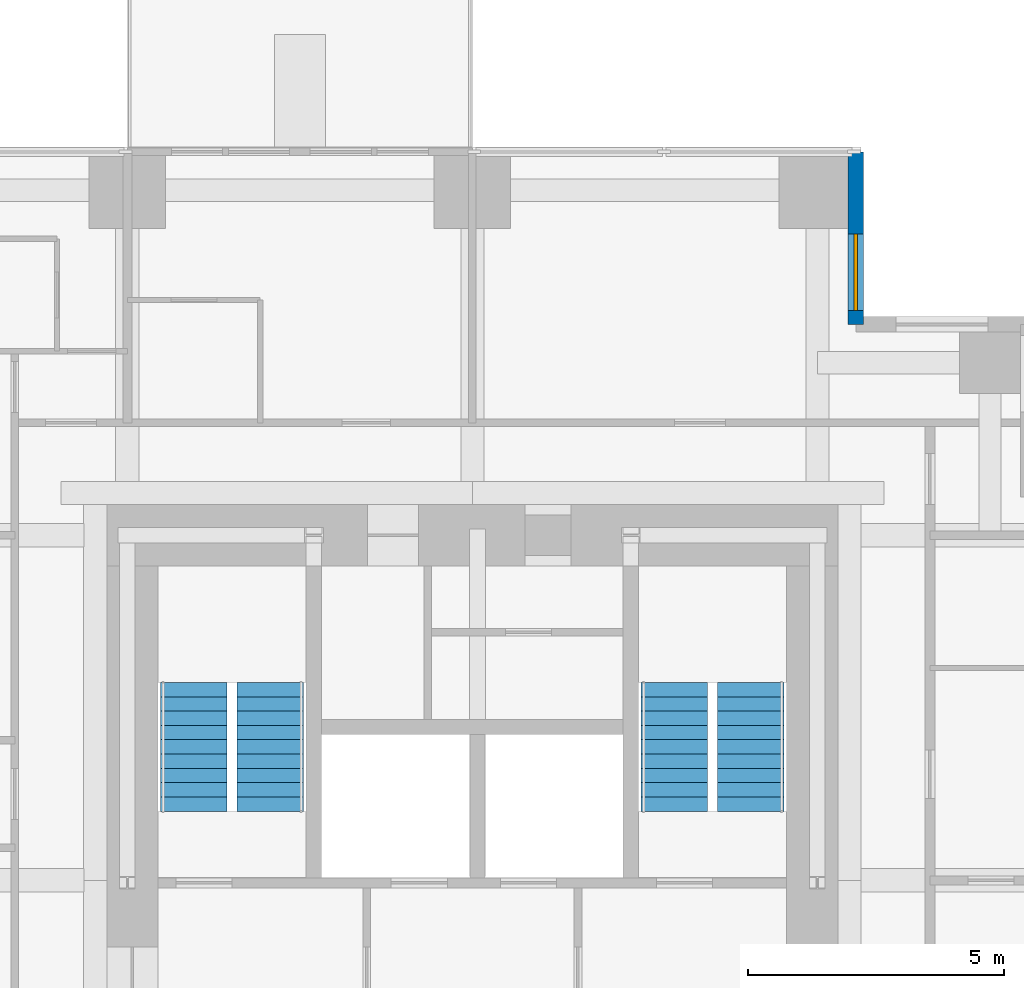
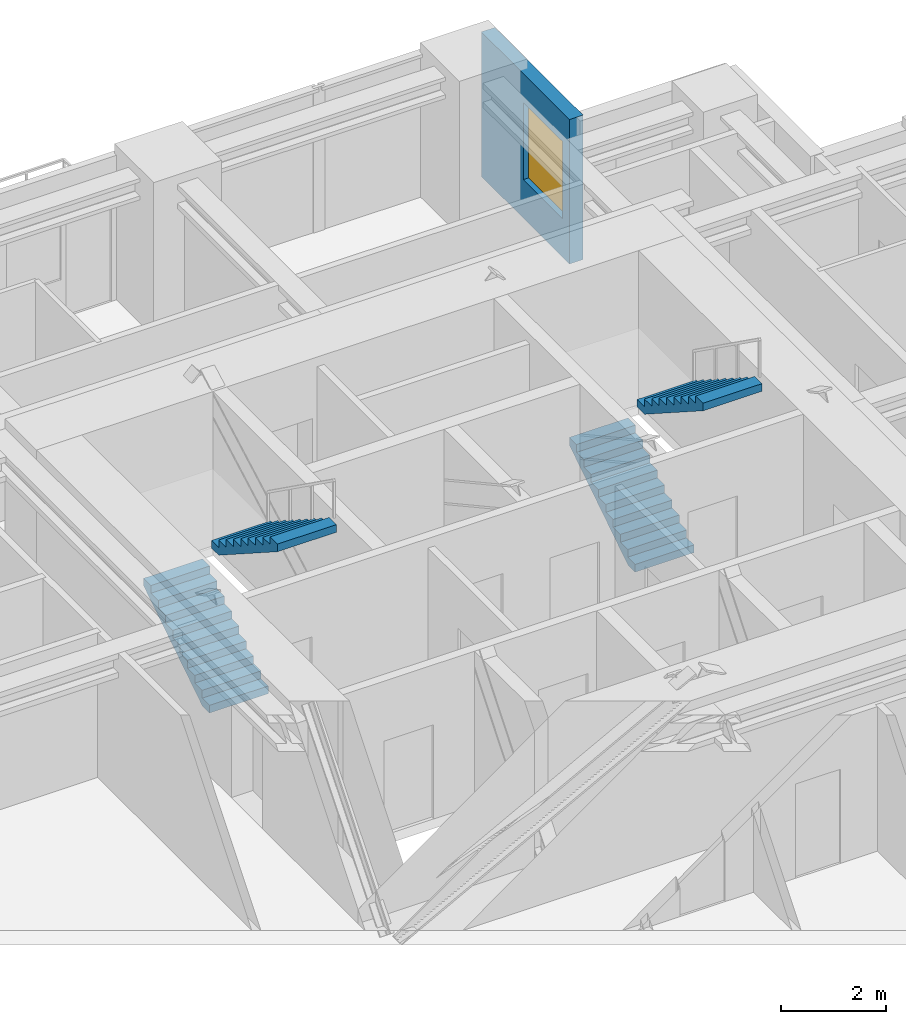
# One storey, part 9 of 10: 4 stair flights, 1 wall, 1 window, 1 opening, 2 elements without a shape of their own.
"""IFC4 building model written with IfcOpenShell, lengths in metres."""

from ifc_helpers import new_model, si_unit, direction, frame, frame_2d, origin, place, context, subcontext, project, spatial, polyline, rectangle, outline, extrude, material, layer, layer_set, type_object, element, fill, aggregate, save


model = new_model("IFC4")

# Units and contexts
model_context = context("Model", 3, precision=1e-05, world=origin(), true_north=direction((0.0, 1.0)))
body_context = subcontext(model_context, "Body", "Model", "MODEL_VIEW")
ifc_project = project(units=[si_unit("LENGTHUNIT", "METRE"), si_unit("AREAUNIT", "SQUARE_METRE"), si_unit("VOLUMEUNIT", "CUBIC_METRE"), si_unit("PLANEANGLEUNIT", "RADIAN"), si_unit("MASSUNIT", "GRAM", prefix="KILO")], contexts=[model_context])

# Site, building, storey
site_placement = place(None, origin())
site = spatial("IfcSite", under=ifc_project, at=site_placement, CompositionType="ELEMENT")
building_placement = place(site_placement, origin())
building = spatial("IfcBuilding", under=site, at=building_placement, Name="Nyansa Garden Tower", CompositionType="ELEMENT")
storey_placement = place(building_placement, frame((0.0, 0.0, 149.39990234375)))
storey = spatial("IfcBuildingStorey", under=building, at=storey_placement, Name="L40", CompositionType="ELEMENT", Elevation=149.39990234375)

# Wall, opening, window
ifc_material_1 = material(Name="Turquoise glazed tile on concrete blockwork", Category="masonry")
ifc_layer = layer(ifc_material_1, 0.300048828125)
ifc_layer_set = layer_set([ifc_layer], Name="Tiled corner wall TW300")
wall_type = type_object("IfcWallType", Name="Tiled corner wall TW300", PredefinedType="SOLIDWALL", material=ifc_layer_set)
wall_placement = place(storey_placement, frame((27.75, 31.125, 0.0), z_axis=(0.0, 0.0, 1.0), x_axis=(0.0, 1.0, 0.0)))
wall = element("IfcWall", 1, at=wall_placement, inside=storey, type_object=wall_type, Name="Tiled corner wall L40", PredefinedType="SOLIDWALL", context=body_context, shape_type="SweptSolid", body=[
    extrude(rectangle(XDim=3.375, YDim=0.300048828125, at=frame_2d((1.6875, 0.0))), origin(), (0.0, 0.0, 1.0), 3.375),
])
opening_placement = place(wall_placement, frame((0.267578125, 0.0, 0.89990234375)))
opening = element("IfcOpeningElement", 2, at=opening_placement, cuts=wall, Name="Opening W1", PredefinedType="OPENING", context=body_context, shape_type="SweptSolid", body=[
    extrude(rectangle(XDim=1.5, YDim=1.800048828125, at=frame_2d((0.75, 0.89990234375))), frame((0.0, 0.159912109375, 0.0), z_axis=(0.0, -1.0, 0.0), x_axis=(1.0, 0.0, 0.0)), (0.0, 0.0, 1.0), 0.320068359375),
])
ifc_material_2 = material(Name="Black aluminium frame, dark tinted double glazing", Category="aluminium")
window_type = type_object("IfcWindowType", Name="Window W1 1500x1800", PartitioningType="SINGLE_PANEL", PredefinedType="WINDOW", material=ifc_material_2)
window_placement = place(opening_placement, origin())
window = element("IfcWindow", 3, at=window_placement, inside=storey, type_object=window_type, Name="Corner window L40", OverallHeight=1.800048828125, OverallWidth=1.5, PartitioningType="SINGLE_PANEL", PredefinedType="WINDOW", context=body_context, shape_type="SweptSolid", body=[
    extrude(rectangle(XDim=1.5, YDim=1.800048828125, at=frame_2d((0.75, 0.89990234375))), frame((0.0, 0.030029296875, 0.0), z_axis=(0.0, -1.0, 0.0), x_axis=(1.0, 0.0, 0.0)), (0.0, 0.0, 1.0), 0.06005859375),
])
fill(opening, window)

# Stair, stair flights
ifc_material_3 = material(Name="Precast concrete C40/50", Category="concrete")
stair_type_1 = type_object("IfcStairType", Name="Stair S1 180x280", PredefinedType="HALF_TURN_STAIR", material=ifc_material_3)
stair_1_placement = place(storey_placement, origin())
stair_1 = element("IfcStair", 4, at=stair_1_placement, inside=storey, type_object=stair_type_1, Name="Stair S1 L40", PredefinedType="HALF_TURN_STAIR")
ifc_material_4 = material(Name="Precast concrete C40/50", Category="concrete")
stair_flight_type_1 = type_object("IfcStairFlightType", Name="Stair flight S1 180x280x10", PredefinedType="STRAIGHT", material=ifc_material_4)
stair_flight_1_placement = place(storey_placement, frame((14.800048828125, 21.60009765625, 0.0), z_axis=(0.0, 0.0, 1.0), x_axis=(0.0, 1.0, 0.0)))
stair_flight_1 = element("IfcStairFlight", 5, at=stair_flight_1_placement, type_object=stair_flight_type_1, Name="S1 flight 1", NumberOfRisers=10, NumberOfTreads=9, PredefinedType="STRAIGHT", RiserHeight=0.18, TreadLength=0.28, context=body_context, shape_type="SweptSolid", body=[
    extrude(outline(polyline([(0.0, 0.0), (0.0, 0.179931640625), (0.280029296875, 0.179931640625), (0.280029296875, 0.360107421875), (0.56005859375, 0.360107421875), (0.56005859375, 0.5400390625), (0.840087890625, 0.5400390625), (0.840087890625, 0.719970703125), (1.1201171875, 0.719970703125), (1.1201171875, 0.89990234375), (1.39990234375, 0.89990234375), (1.39990234375, 1.080078125), (1.679931640625, 1.080078125), (1.679931640625, 1.260009765625), (1.9599609375, 1.260009765625), (1.9599609375, 1.43994140625), (2.239990234375, 1.43994140625), (2.239990234375, 1.6201171875), (2.52001953125, 1.6201171875), (2.52001953125, 1.800048828125), (2.52001953125, 1.44189453125), (0.277099609375, 0.0), (0.0, 0.0)])), frame((0.0, 0.64990234375, 0.0), z_axis=(0.0, -1.0, 0.0), x_axis=(1.0, 0.0, 0.0)), (0.0, 0.0, 1.0), 1.300048828125),
])
stair_flight_2_placement = place(storey_placement, frame((16.300048828125, 24.1201171875, 1.800048828125), z_axis=(0.0, 0.0, 1.0), x_axis=(0.0, -1.0, 0.0)))
stair_flight_2 = element("IfcStairFlight", 6, at=stair_flight_2_placement, type_object=stair_flight_type_1, Name="S1 flight 2", NumberOfRisers=10, NumberOfTreads=9, PredefinedType="STRAIGHT", RiserHeight=0.18, TreadLength=0.28, context=body_context, shape_type="SweptSolid", body=[
    extrude(outline(polyline([(0.0, 0.0), (0.0, 0.179931640625), (0.280029296875, 0.179931640625), (0.280029296875, 0.360107421875), (0.56005859375, 0.360107421875), (0.56005859375, 0.5400390625), (0.840087890625, 0.5400390625), (0.840087890625, 0.719970703125), (1.1201171875, 0.719970703125), (1.1201171875, 0.89990234375), (1.39990234375, 0.89990234375), (1.39990234375, 1.080078125), (1.679931640625, 1.080078125), (1.679931640625, 1.260009765625), (1.9599609375, 1.260009765625), (1.9599609375, 1.43994140625), (2.239990234375, 1.43994140625), (2.239990234375, 1.6201171875), (2.52001953125, 1.6201171875), (2.52001953125, 1.800048828125), (2.52001953125, 1.44189453125), (0.277099609375, 0.0), (0.0, 0.0)])), frame((0.0, 0.64990234375, 0.0), z_axis=(0.0, -1.0, 0.0), x_axis=(1.0, 0.0, 0.0)), (0.0, 0.0, 1.0), 1.300048828125),
])
aggregate(stair_1, [stair_flight_1, stair_flight_2])

ifc_material_5 = material(Name="Precast concrete C40/50", Category="concrete")
stair_type_2 = type_object("IfcStairType", Name="Stair S2 180x280", PredefinedType="HALF_TURN_STAIR", material=ifc_material_5)
stair_2_placement = place(storey_placement, origin())
stair_2 = element("IfcStair", 7, at=stair_2_placement, inside=storey, type_object=stair_type_2, Name="Stair S2 L40", PredefinedType="HALF_TURN_STAIR")
ifc_material_6 = material(Name="Precast concrete C40/50", Category="concrete")
stair_flight_type_2 = type_object("IfcStairFlightType", Name="Stair flight S2 180x280x10", PredefinedType="STRAIGHT", material=ifc_material_6)
stair_flight_3_placement = place(storey_placement, frame((24.199951171875, 21.60009765625, 0.0), z_axis=(0.0, 0.0, 1.0), x_axis=(0.0, 1.0, 0.0)))
stair_flight_3 = element("IfcStairFlight", 8, at=stair_flight_3_placement, type_object=stair_flight_type_2, Name="S2 flight 1", NumberOfRisers=10, NumberOfTreads=9, PredefinedType="STRAIGHT", RiserHeight=0.18, TreadLength=0.28, context=body_context, shape_type="SweptSolid", body=[
    extrude(outline(polyline([(0.0, 0.0), (0.0, 0.179931640625), (0.280029296875, 0.179931640625), (0.280029296875, 0.360107421875), (0.56005859375, 0.360107421875), (0.56005859375, 0.5400390625), (0.840087890625, 0.5400390625), (0.840087890625, 0.719970703125), (1.1201171875, 0.719970703125), (1.1201171875, 0.89990234375), (1.39990234375, 0.89990234375), (1.39990234375, 1.080078125), (1.679931640625, 1.080078125), (1.679931640625, 1.260009765625), (1.9599609375, 1.260009765625), (1.9599609375, 1.43994140625), (2.239990234375, 1.43994140625), (2.239990234375, 1.6201171875), (2.52001953125, 1.6201171875), (2.52001953125, 1.800048828125), (2.52001953125, 1.44189453125), (0.277099609375, 0.0), (0.0, 0.0)])), frame((0.0, 0.64990234375, 0.0), z_axis=(0.0, -1.0, 0.0), x_axis=(1.0, 0.0, 0.0)), (0.0, 0.0, 1.0), 1.300048828125),
])
stair_flight_4_placement = place(storey_placement, frame((25.699951171875, 24.1201171875, 1.800048828125), z_axis=(0.0, 0.0, 1.0), x_axis=(0.0, -1.0, 0.0)))
stair_flight_4 = element("IfcStairFlight", 9, at=stair_flight_4_placement, type_object=stair_flight_type_2, Name="S2 flight 2", NumberOfRisers=10, NumberOfTreads=9, PredefinedType="STRAIGHT", RiserHeight=0.18, TreadLength=0.28, context=body_context, shape_type="SweptSolid", body=[
    extrude(outline(polyline([(0.0, 0.0), (0.0, 0.179931640625), (0.280029296875, 0.179931640625), (0.280029296875, 0.360107421875), (0.56005859375, 0.360107421875), (0.56005859375, 0.5400390625), (0.840087890625, 0.5400390625), (0.840087890625, 0.719970703125), (1.1201171875, 0.719970703125), (1.1201171875, 0.89990234375), (1.39990234375, 0.89990234375), (1.39990234375, 1.080078125), (1.679931640625, 1.080078125), (1.679931640625, 1.260009765625), (1.9599609375, 1.260009765625), (1.9599609375, 1.43994140625), (2.239990234375, 1.43994140625), (2.239990234375, 1.6201171875), (2.52001953125, 1.6201171875), (2.52001953125, 1.800048828125), (2.52001953125, 1.44189453125), (0.277099609375, 0.0), (0.0, 0.0)])), frame((0.0, 0.64990234375, 0.0), z_axis=(0.0, -1.0, 0.0), x_axis=(1.0, 0.0, 0.0)), (0.0, 0.0, 1.0), 1.300048828125),
])
aggregate(stair_2, [stair_flight_3, stair_flight_4])

save(model, "model.ifc")
